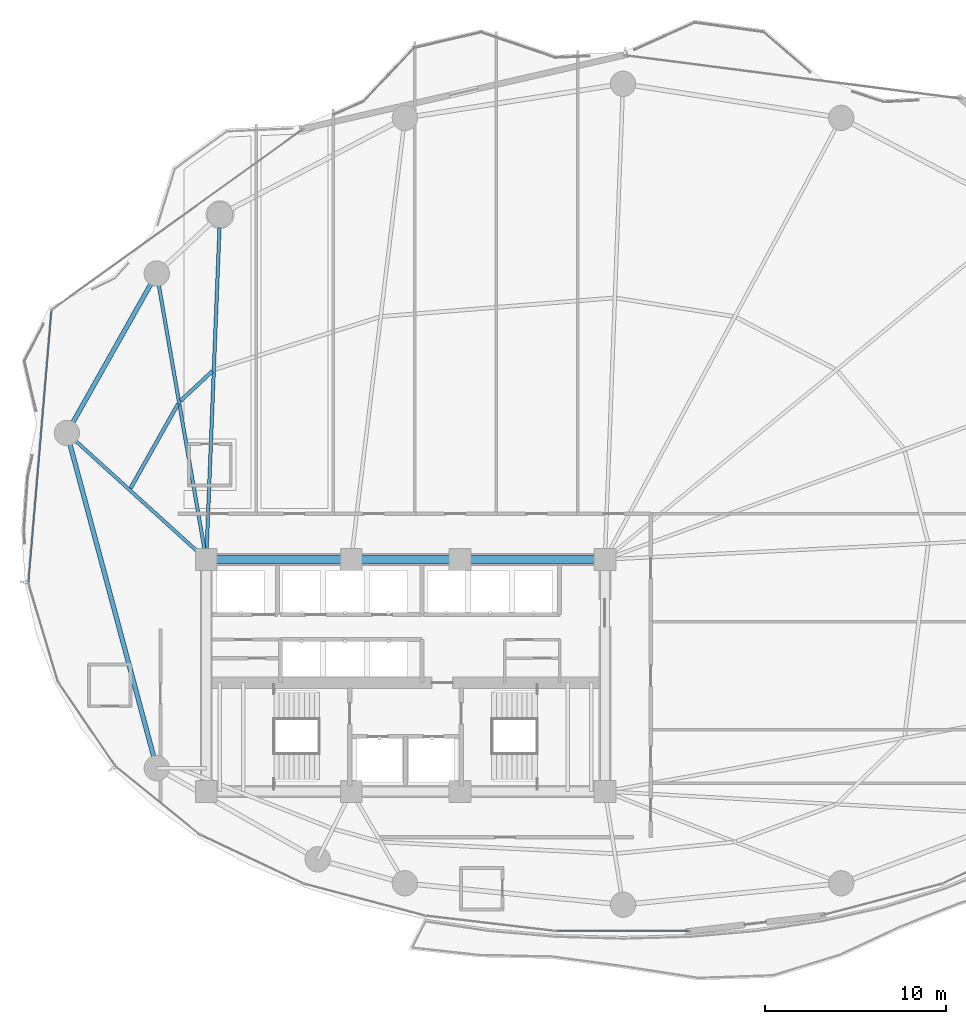
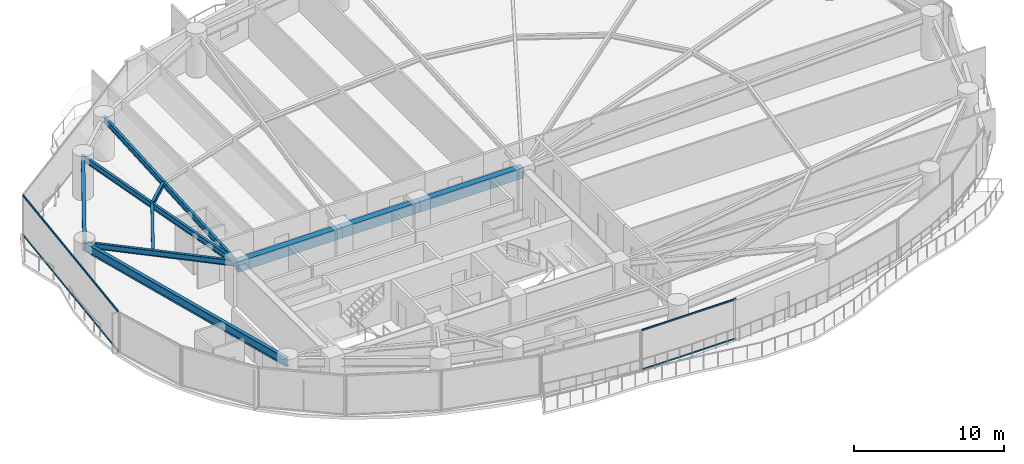
# One storey, part 9 of 30: 10 beams, 4 members, 2 elements without a shape of their own.
"""IFC4 building model written with IfcOpenShell, lengths in metres."""

from ifc_helpers import new_model, si_unit, direction, frame, origin, origin_2d, place, context, subcontext, project, spatial, rectangle, hollow_rectangle, i_section, extrude, material, layer, layer_set, material_profile, profile_set, type_object, element, aggregate, save


model = new_model("IFC4")

# Units and contexts
model_context = context("Model", 3, precision=1e-05, world=origin(), true_north=direction((0.0, 1.0)))
body_context = subcontext(model_context, "Body", "Model", "MODEL_VIEW")
ifc_project = project(units=[si_unit("LENGTHUNIT", "METRE"), si_unit("AREAUNIT", "SQUARE_METRE"), si_unit("VOLUMEUNIT", "CUBIC_METRE"), si_unit("PLANEANGLEUNIT", "RADIAN"), si_unit("MASSUNIT", "GRAM", prefix="KILO")], contexts=[model_context])

# Site, building, storey
site_placement = place(None, origin())
site = spatial("IfcSite", under=ifc_project, at=site_placement, CompositionType="ELEMENT")
building_placement = place(site_placement, origin())
building = spatial("IfcBuilding", under=site, at=building_placement, Name="Kazevale Care Tower and Concert Hall", CompositionType="ELEMENT")
storey_placement = place(building_placement, frame((0.0, 0.0, 88.800048828125)))
storey = spatial("IfcBuildingStorey", under=building, at=storey_placement, Name="L23", CompositionType="ELEMENT", Elevation=88.800048828125)

# Curtain wall, members
ifc_material_1 = material(Name="Aluminium 6063-T6 and Low-E Glass", Category="aluminium")
ifc_layer_1 = layer(ifc_material_1, 0.179931640625)
ifc_layer_set_1 = layer_set([ifc_layer_1], Name="Aluminium 6063-T6 and Low-E Glass")
curtain_wall_type_1 = type_object("IfcCurtainWallType", Name="Waist & Upper Residential Curtain Wall CW-4", PredefinedType="NOTDEFINED", material=ifc_layer_set_1)
curtain_wall_1_placement = place(storey_placement, origin())
curtain_wall_1 = element("IfcCurtainWall", 1, at=curtain_wall_1_placement, inside=storey, type_object=curtain_wall_type_1, Name="cw:L23:f13", PredefinedType="NOTDEFINED")
ifc_material_2 = material(Name="Aluminium 6063-T6", Category="aluminium")
ifc_material_profile_1 = material_profile(ifc_material_2, hollow_rectangle(XDim=0.080078125, YDim=0.139892578125, WallThickness=0.00390625, at=origin_2d()), Name="ALU80x140x4")
ifc_profile_set_1 = profile_set([ifc_material_profile_1], Name="Aluminium 6063-T6")
member_type_1 = type_object("IfcMemberType", Name="CW-4 Transom ALU80x140x4", PredefinedType="USERDEFINED", material=ifc_profile_set_1)
member_1_placement = place(storey_placement, frame((12.19384765625, 35.170654296875, 0.0400390625), z_axis=(0.084408766115, 0.996431211977, 0.0), x_axis=(-0.996431211977, 0.084408766115, 0.0)))
member_1 = element("IfcMember", 2, at=member_1_placement, type_object=member_type_1, Name="CW-4 transom 1.1", ObjectType="TRANSOM", PredefinedType="USERDEFINED", context=body_context, shape_type="SweptSolid", body=[
    extrude(hollow_rectangle(XDim=0.080078125, YDim=0.139892578125, WallThickness=0.00390625, at=origin_2d()), origin(), (0.0, 0.0, 1.0), 14.968017578125),
])
member_2_placement = place(storey_placement, frame((12.19384765625, 35.170654296875, 3.239990234375), z_axis=(0.084408766115, 0.996431211977, 0.0), x_axis=(-0.996431211977, 0.084408766115, 0.0)))
member_2 = element("IfcMember", 3, at=member_2_placement, type_object=member_type_1, Name="CW-4 transom 1.2", ObjectType="TRANSOM", PredefinedType="USERDEFINED", context=body_context, shape_type="SweptSolid", body=[
    extrude(hollow_rectangle(XDim=0.080078125, YDim=0.139892578125, WallThickness=0.00390625, at=origin_2d()), origin(), (0.0, 0.0, 1.0), 14.968017578125),
])
aggregate(curtain_wall_1, [member_1, member_2])

ifc_layer_2 = layer(ifc_material_1, 0.179931640625)
ifc_layer_set_2 = layer_set([ifc_layer_2], Name="Aluminium 6063-T6 and Low-E Glass")
curtain_wall_type_2 = type_object("IfcCurtainWallType", Name="Sheltered Concave Balcony Curtain Wall CW-5", PredefinedType="NOTDEFINED", material=ifc_layer_set_2)
curtain_wall_2_placement = place(storey_placement, origin())
curtain_wall_2 = element("IfcCurtainWall", 4, at=curtain_wall_2_placement, inside=storey, type_object=curtain_wall_type_2, Name="cw:L23:f06", PredefinedType="NOTDEFINED")
ifc_material_profile_2 = material_profile(ifc_material_2, hollow_rectangle(XDim=0.074951171875, YDim=0.1201171875, WallThickness=0.00390625, at=origin_2d()), Name="ALU75x120x4")
ifc_profile_set_2 = profile_set([ifc_material_profile_2], Name="Aluminium 6063-T6")
member_type_2 = type_object("IfcMemberType", Name="CW-5 Transom ALU75x120x4", PredefinedType="USERDEFINED", material=ifc_profile_set_2)
member_3_placement = place(storey_placement, frame((48.632080078125, 15.885986328125, 0.037353515625), z_axis=(-1.0, 0.0, 0.0), x_axis=(0.0, -1.0, 0.0)))
member_3 = element("IfcMember", 5, at=member_3_placement, type_object=member_type_2, Name="CW-5 transom 1.1", ObjectType="TRANSOM", PredefinedType="USERDEFINED", context=body_context, shape_type="SweptSolid", body=[
    extrude(hollow_rectangle(XDim=0.074951171875, YDim=0.1201171875, WallThickness=0.00390625, at=origin_2d()), origin(), (0.0, 0.0, 1.0), 7.26416015625),
])
member_4_placement = place(storey_placement, frame((48.632080078125, 15.885986328125, 3.242431640625), z_axis=(-1.0, 0.0, 0.0), x_axis=(0.0, -1.0, 0.0)))
member_4 = element("IfcMember", 6, at=member_4_placement, type_object=member_type_2, Name="CW-5 transom 1.2", ObjectType="TRANSOM", PredefinedType="USERDEFINED", context=body_context, shape_type="SweptSolid", body=[
    extrude(hollow_rectangle(XDim=0.074951171875, YDim=0.1201171875, WallThickness=0.00390625, at=origin_2d()), origin(), (0.0, 0.0, 1.0), 7.26416015625),
])
aggregate(curtain_wall_2, [member_3, member_4])

# Beams
ifc_material_3 = material(Name="Concrete C60", Category="concrete")
ifc_material_profile_3 = material_profile(ifc_material_3, rectangle(XDim=0.5, YDim=0.85009765625, at=origin_2d()), Name="RC-B500x850")
ifc_profile_set_3 = profile_set([ifc_material_profile_3], Name="Concrete C60")
beam_type_1 = type_object("IfcBeamType", Name="Core Coupling Beam RC500x850", PredefinedType="LINTEL", material=ifc_profile_set_3)
beam_1_placement = place(storey_placement, frame((44.0, 36.39990234375, 2.85498046875), z_axis=(-1.0, 0.0, 0.0), x_axis=(0.0, -1.0, 0.0)))
element("IfcBeam", 7, at=beam_1_placement, inside=storey, type_object=beam_type_1, Name="beam:L23:coretie:5", PredefinedType="LINTEL", context=body_context, shape_type="SweptSolid", body=[
    extrude(rectangle(XDim=0.5, YDim=0.85009765625, at=origin_2d()), origin(), (0.0, 0.0, 1.0), 8.0),
])
beam_2_placement = place(storey_placement, frame((36.0, 36.39990234375, 2.85498046875), z_axis=(-1.0, 0.0, 0.0), x_axis=(0.0, -1.0, 0.0)))
element("IfcBeam", 8, at=beam_2_placement, inside=storey, type_object=beam_type_1, Name="beam:L23:coretie:6", PredefinedType="LINTEL", context=body_context, shape_type="SweptSolid", body=[
    extrude(rectangle(XDim=0.5, YDim=0.85009765625, at=origin_2d()), origin(), (0.0, 0.0, 1.0), 6.0),
])
beam_3_placement = place(storey_placement, frame((30.0, 36.39990234375, 2.85498046875), z_axis=(-1.0, 0.0, 0.0), x_axis=(0.0, -1.0, 0.0)))
element("IfcBeam", 9, at=beam_3_placement, inside=storey, type_object=beam_type_1, Name="beam:L23:coretie:7", PredefinedType="LINTEL", context=body_context, shape_type="SweptSolid", body=[
    extrude(rectangle(XDim=0.5, YDim=0.85009765625, at=origin_2d()), origin(), (0.0, 0.0, 1.0), 8.0),
])
ifc_material_4 = material(Name="Steel ASTM A572 Gr 50", Category="steel")
ifc_material_profile_4 = material_profile(ifc_material_4, i_section(OverallWidth=0.19091796875, OverallDepth=0.4599609375, WebThickness=0.010009765625, FlangeThickness=0.01611328125, at=origin_2d()), Name="W460x82")
ifc_profile_set_4 = profile_set([ifc_material_profile_4], Name="Steel ASTM A572 Gr 50")
beam_type_2 = type_object("IfcBeamType", Name="Radial Floor Beam W460x82", PredefinedType="BEAM", material=ifc_profile_set_4)
beam_4_placement = place(storey_placement, frame((22.0, 36.39990234375, 3.050048828125), z_axis=(0.039905581428, 0.999203455044, 0.0), x_axis=(-0.999203455044, 0.039905581428, 0.0)))
element("IfcBeam", 10, at=beam_4_placement, inside=storey, type_object=beam_type_2, Name="beam:L23:rad:07", PredefinedType="BEAM", context=body_context, shape_type="SweptSolid", body=[
    extrude(i_section(OverallWidth=0.19091796875, OverallDepth=0.4599609375, WebThickness=0.010009765625, FlangeThickness=0.01611328125, at=origin_2d()), origin(), (0.0, 0.0, 1.0), 19.045166015625),
])
beam_5_placement = place(storey_placement, frame((22.0, 36.39990234375, 3.050048828125), z_axis=(-0.170469986865, 0.985362868987, 0.0), x_axis=(-0.985362868987, -0.170469986865, 0.0)))
element("IfcBeam", 11, at=beam_5_placement, inside=storey, type_object=beam_type_2, Name="beam:L23:rad:08", PredefinedType="BEAM", context=body_context, shape_type="SweptSolid", body=[
    extrude(i_section(OverallWidth=0.19091796875, OverallDepth=0.4599609375, WebThickness=0.010009765625, FlangeThickness=0.01611328125, at=origin_2d()), origin(), (0.0, 0.0, 1.0), 16.014404296875),
])
beam_6_placement = place(storey_placement, frame((22.0, 36.39990234375, 3.050048828125), z_axis=(-0.740461073653, 0.672099247436, 0.0), x_axis=(-0.672099247436, -0.740461073653, 0.0)))
element("IfcBeam", 12, at=beam_6_placement, inside=storey, type_object=beam_type_2, Name="beam:L23:rad:09", PredefinedType="BEAM", context=body_context, shape_type="SweptSolid", body=[
    extrude(i_section(OverallWidth=0.19091796875, OverallDepth=0.4599609375, WebThickness=0.010009765625, FlangeThickness=0.01611328125, at=origin_2d()), origin(), (0.0, 0.0, 1.0), 10.38525390625),
])
ifc_material_profile_5 = material_profile(ifc_material_4, i_section(OverallWidth=0.205078125, OverallDepth=0.35400390625, WebThickness=0.009521484375, FlangeThickness=0.016845703125, at=origin_2d()), Name="W360x79")
ifc_profile_set_5 = profile_set([ifc_material_profile_5], Name="Steel ASTM A572 Gr 50")
beam_type_3 = type_object("IfcBeamType", Name="Secondary Floor Joist W360x79", PredefinedType="JOIST", material=ifc_profile_set_5)
beam_7_placement = place(storey_placement, frame((22.341064453125, 46.794921875, 3.10302734375), z_axis=(-0.73194965424, -0.68135871878, 0.0), x_axis=(0.68135871878, -0.73194965424, 0.0)))
element("IfcBeam", 13, at=beam_7_placement, inside=storey, type_object=beam_type_3, Name="beam:L23:joist:07", PredefinedType="JOIST", context=body_context, shape_type="SweptSolid", body=[
    extrude(i_section(OverallWidth=0.205078125, OverallDepth=0.35400390625, WebThickness=0.009521484375, FlangeThickness=0.016845703125, at=origin_2d()), origin(), (0.0, 0.0, 1.0), 2.412841796875),
])
beam_8_placement = place(storey_placement, frame((20.447021484375, 44.988037109375, 3.10302734375), z_axis=(-0.490956987312, -0.871183813331, 0.0), x_axis=(0.871183813331, -0.490956987312, 0.0)))
element("IfcBeam", 14, at=beam_8_placement, inside=storey, type_object=beam_type_3, Name="beam:L23:joist:08", PredefinedType="JOIST", context=body_context, shape_type="SweptSolid", body=[
    extrude(i_section(OverallWidth=0.205078125, OverallDepth=0.35400390625, WebThickness=0.009521484375, FlangeThickness=0.016845703125, at=origin_2d()), origin(), (0.0, 0.0, 1.0), 5.3466796875),
])
ifc_material_profile_6 = material_profile(ifc_material_4, i_section(OverallWidth=0.256103515625, OverallDepth=0.693115234375, WebThickness=0.014404296875, FlangeThickness=0.023681640625, at=origin_2d()), Name="W690x170")
ifc_profile_set_6 = profile_set([ifc_material_profile_6], Name="Steel ASTM A572 Gr 50")
beam_type_4 = type_object("IfcBeamType", Name="Waist Ring Beam W690x170", PredefinedType="BEAM", material=ifc_profile_set_6)
beam_9_placement = place(storey_placement, frame((19.27001953125, 52.179931640625, 2.933349609375), z_axis=(-0.491008061092, -0.87115502865, 0.0), x_axis=(0.87115502865, -0.491008061092, 0.0)))
element("IfcBeam", 15, at=beam_9_placement, inside=storey, type_object=beam_type_4, Name="beam:L23:ring:08", PredefinedType="BEAM", context=body_context, shape_type="SweptSolid", body=[
    extrude(i_section(OverallWidth=0.256103515625, OverallDepth=0.693115234375, WebThickness=0.014404296875, FlangeThickness=0.023681640625, at=origin_2d()), origin(), (0.0, 0.0, 1.0), 10.1015625),
])
beam_10_placement = place(storey_placement, frame((14.31005859375, 43.3798828125, 2.933349609375), z_axis=(0.258960352031, -0.965887952133, 0.0), x_axis=(0.965887952133, 0.258960352031, 0.0)))
element("IfcBeam", 16, at=beam_10_placement, inside=storey, type_object=beam_type_4, Name="beam:L23:ring:09", PredefinedType="BEAM", context=body_context, shape_type="SweptSolid", body=[
    extrude(i_section(OverallWidth=0.256103515625, OverallDepth=0.693115234375, WebThickness=0.014404296875, FlangeThickness=0.023681640625, at=origin_2d()), origin(), (0.0, 0.0, 1.0), 19.1533203125),
])

save(model, "model.ifc")
